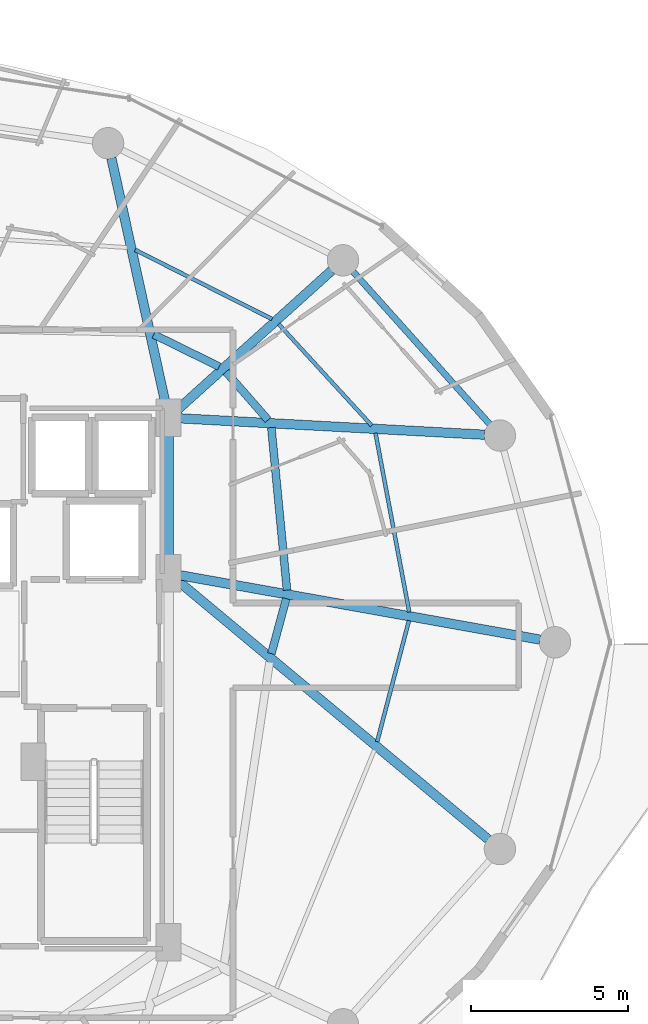
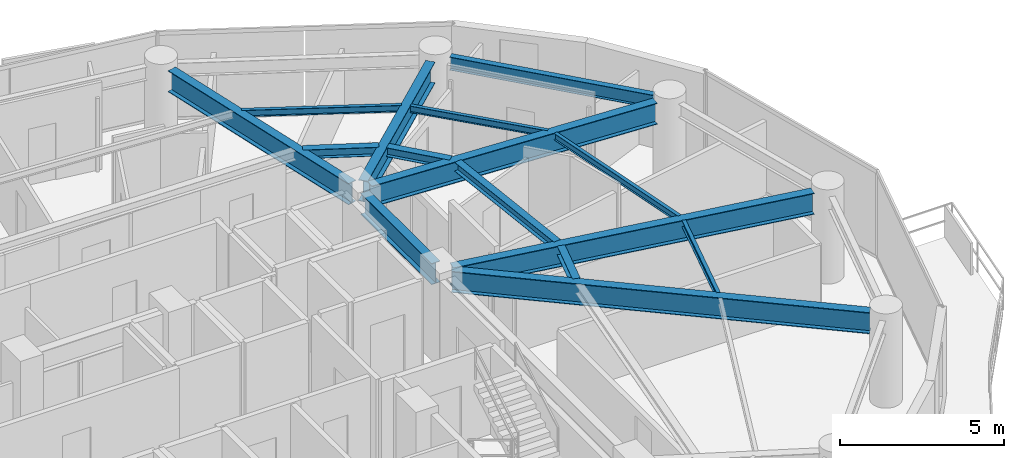
# One storey, part 14 of 30: 15 beams.
"""IFC4 building model written with IfcOpenShell, lengths in metres."""

from ifc_helpers import new_model, si_unit, direction, frame, origin, origin_2d, place, context, subcontext, project, spatial, i_section, extrude, material, material_profile, profile_set, type_object, element, save


model = new_model("IFC4")

# Units and contexts
model_context = context("Model", 3, precision=1e-05, world=origin(), true_north=direction((0.0, 1.0)))
body_context = subcontext(model_context, "Body", "Model", "MODEL_VIEW")
ifc_project = project(units=[si_unit("LENGTHUNIT", "METRE"), si_unit("AREAUNIT", "SQUARE_METRE"), si_unit("VOLUMEUNIT", "CUBIC_METRE"), si_unit("PLANEANGLEUNIT", "RADIAN"), si_unit("MASSUNIT", "GRAM", prefix="KILO")], contexts=[model_context])

# Site, building, storey
site_placement = place(None, origin())
site = spatial("IfcSite", under=ifc_project, at=site_placement, CompositionType="ELEMENT")
building_placement = place(site_placement, origin())
building = spatial("IfcBuilding", under=site, at=building_placement, Name="Vorneva Point Tower", CompositionType="ELEMENT")
storey_placement = place(building_placement, frame((0.0, 0.0, 153.60009765625)))
storey = spatial("IfcBuildingStorey", under=building, at=storey_placement, Name="L41", CompositionType="ELEMENT", Elevation=153.60009765625)

# Beams
ifc_material = material(Name="Steel S355", Category="steel")
ifc_material_profile_1 = material_profile(ifc_material, i_section(OverallWidth=0.300048828125, OverallDepth=0.7880859375, WebThickness=0.014404296875, FlangeThickness=0.02197265625, at=origin_2d()), Name="80Sh1")
ifc_profile_set_1 = profile_set([ifc_material_profile_1], Name="Steel S355")
beam_type_1 = type_object("IfcBeamType", Name="BM-GRD-80Sh1", PredefinedType="USERDEFINED", material=ifc_profile_set_1)
beam_1_placement = place(storey_placement, frame((60.569580078125, 26.0859375, 2.845947265625), z_axis=(-0.984378132756, 0.176067293249, 0.0), x_axis=(-0.176067293249, -0.984378132756, 0.0)))
element("IfcBeam", 1, at=beam_1_placement, inside=storey, type_object=beam_type_1, Name="L41 Radial Primary Girder 01", ObjectType="GIRDER", PredefinedType="USERDEFINED", context=body_context, shape_type="SweptSolid", body=[
    extrude(i_section(OverallWidth=0.300048828125, OverallDepth=0.7880859375, WebThickness=0.014404296875, FlangeThickness=0.02197265625, at=origin_2d()), origin(), (0.0, 0.0, 1.0), 11.667236328125),
])
beam_2_placement = place(storey_placement, frame((58.80810546875, 32.6083984375, 2.845947265625), z_axis=(-0.998554051908, 0.053756910424, 0.0), x_axis=(-0.053756910424, -0.998554051908, 0.0)))
element("IfcBeam", 2, at=beam_2_placement, inside=storey, type_object=beam_type_1, Name="L41 Radial Primary Girder 02", ObjectType="GIRDER", PredefinedType="USERDEFINED", context=body_context, shape_type="SweptSolid", body=[
    extrude(i_section(OverallWidth=0.300048828125, OverallDepth=0.7880859375, WebThickness=0.014404296875, FlangeThickness=0.02197265625, at=origin_2d()), origin(), (0.0, 0.0, 1.0), 9.732666015625),
])
beam_3_placement = place(storey_placement, frame((53.936767578125, 37.835205078125, 2.845947265625), z_axis=(-0.742084379637, -0.670306477292, 0.0), x_axis=(0.670306477292, -0.742084379637, 0.0)))
element("IfcBeam", 3, at=beam_3_placement, inside=storey, type_object=beam_type_1, Name="L41 Radial Primary Girder 03", ObjectType="GIRDER", PredefinedType="USERDEFINED", context=body_context, shape_type="SweptSolid", body=[
    extrude(i_section(OverallWidth=0.300048828125, OverallDepth=0.7880859375, WebThickness=0.014404296875, FlangeThickness=0.02197265625, at=origin_2d()), origin(), (0.0, 0.0, 1.0), 6.649658203125),
])
beam_4_placement = place(storey_placement, frame((46.926025390625, 41.414306640625, 2.845947265625), z_axis=(0.215520500859, -0.976499315775, 0.0), x_axis=(0.976499315775, 0.215520500859, 0.0)))
element("IfcBeam", 4, at=beam_4_placement, inside=storey, type_object=beam_type_1, Name="L41 Radial Primary Girder 04", ObjectType="GIRDER", PredefinedType="USERDEFINED", context=body_context, shape_type="SweptSolid", body=[
    extrude(i_section(OverallWidth=0.300048828125, OverallDepth=0.7880859375, WebThickness=0.014404296875, FlangeThickness=0.02197265625, at=origin_2d()), origin(), (0.0, 0.0, 1.0), 8.123291015625),
])
beam_5_placement = place(storey_placement, frame((58.92041015625, 19.72998046875, 2.845947265625), z_axis=(-0.76841987547, 0.639946009428, 0.0), x_axis=(-0.639946009428, -0.76841987547, 0.0)))
element("IfcBeam", 5, at=beam_5_placement, inside=storey, type_object=beam_type_1, Name="L41 Radial Primary Girder 16", ObjectType="GIRDER", PredefinedType="USERDEFINED", context=body_context, shape_type="SweptSolid", body=[
    extrude(i_section(OverallWidth=0.300048828125, OverallDepth=0.7880859375, WebThickness=0.014404296875, FlangeThickness=0.02197265625, at=origin_2d()), origin(), (0.0, 0.0, 1.0), 12.8955078125),
])
beam_6_placement = place(storey_placement, frame((48.75, 28.52001953125, 2.845947265625), z_axis=(0.0, 1.0, 0.0), x_axis=(-1.0, 0.0, 0.0)))
element("IfcBeam", 6, at=beam_6_placement, inside=storey, type_object=beam_type_1, Name="L41 Core Tie Girder CT4", ObjectType="GIRDER", PredefinedType="USERDEFINED", context=body_context, shape_type="SweptSolid", body=[
    extrude(i_section(OverallWidth=0.300048828125, OverallDepth=0.7880859375, WebThickness=0.014404296875, FlangeThickness=0.02197265625, at=origin_2d()), origin(), (0.0, 0.0, 1.0), 4.31005859375),
])
ifc_material_profile_2 = material_profile(ifc_material, i_section(OverallWidth=0.1240234375, OverallDepth=0.248046875, WebThickness=0.0048828125, FlangeThickness=0.008056640625, at=origin_2d()), Name="25B1")
ifc_profile_set_2 = profile_set([ifc_material_profile_2], Name="Steel S355")
beam_type_2 = type_object("IfcBeamType", Name="BM-JST-25B1", PredefinedType="JOIST", material=ifc_profile_set_2)
beam_7_placement = place(storey_placement, frame((56.409423828125, 26.9609375, 3.115966796875), z_axis=(-0.185233785123, 0.982694481947, 0.0), x_axis=(-0.982694481947, -0.185233785123, 0.0)))
element("IfcBeam", 7, at=beam_7_placement, inside=storey, type_object=beam_type_2, Name="L41 Secondary Floor Beam 1.01", PredefinedType="JOIST", context=body_context, shape_type="SweptSolid", body=[
    extrude(i_section(OverallWidth=0.1240234375, OverallDepth=0.248046875, WebThickness=0.0048828125, FlangeThickness=0.008056640625, at=origin_2d()), origin(), (0.0, 0.0, 1.0), 5.800537109375),
])
beam_8_placement = place(storey_placement, frame((55.216064453125, 32.8984375, 3.115966796875), z_axis=(-0.675865863336, 0.737024650047, 0.0), x_axis=(-0.737024650047, -0.675865863336, 0.0)))
element("IfcBeam", 8, at=beam_8_placement, inside=storey, type_object=beam_type_2, Name="L41 Secondary Floor Beam 1.02", PredefinedType="JOIST", context=body_context, shape_type="SweptSolid", body=[
    extrude(i_section(OverallWidth=0.1240234375, OverallDepth=0.248046875, WebThickness=0.0048828125, FlangeThickness=0.008056640625, at=origin_2d()), origin(), (0.0, 0.0, 1.0), 4.383056640625),
])
beam_9_placement = place(storey_placement, frame((52.037109375, 36.292724609375, 3.115966796875), z_axis=(-0.892388118376, 0.451268707292, 0.0), x_axis=(-0.451268707292, -0.892388118376, 0.0)))
element("IfcBeam", 9, at=beam_9_placement, inside=storey, type_object=beam_type_2, Name="L41 Secondary Floor Beam 1.03", PredefinedType="JOIST", context=body_context, shape_type="SweptSolid", body=[
    extrude(i_section(OverallWidth=0.1240234375, OverallDepth=0.248046875, WebThickness=0.0048828125, FlangeThickness=0.008056640625, at=origin_2d()), origin(), (0.0, 0.0, 1.0), 4.883056640625),
])
beam_10_placement = place(storey_placement, frame((55.38818359375, 22.83447265625, 3.115966796875), z_axis=(0.253697664148, 0.967283565045, 0.0), x_axis=(-0.967283565045, 0.253697664148, 0.0)))
element("IfcBeam", 10, at=beam_10_placement, inside=storey, type_object=beam_type_2, Name="L41 Secondary Floor Beam 1.16", PredefinedType="JOIST", context=body_context, shape_type="SweptSolid", body=[
    extrude(i_section(OverallWidth=0.1240234375, OverallDepth=0.248046875, WebThickness=0.0048828125, FlangeThickness=0.008056640625, at=origin_2d()), origin(), (0.0, 0.0, 1.0), 3.98779296875),
])
ifc_material_profile_3 = material_profile(ifc_material, i_section(OverallWidth=0.2490234375, OverallDepth=0.333984375, WebThickness=0.008056640625, FlangeThickness=0.010986328125, at=origin_2d()), Name="35Sh1")
ifc_profile_set_3 = profile_set([ifc_material_profile_3], Name="Steel S355")
beam_type_3 = type_object("IfcBeamType", Name="BM-SEC-35Sh1", PredefinedType="BEAM", material=ifc_profile_set_3)
beam_11_placement = place(storey_placement, frame((52.516845703125, 27.6611328125, 3.072998046875), z_axis=(-0.095868061976, 0.995394049959, 0.0), x_axis=(-0.995394049959, -0.095868061976, 0.0)))
element("IfcBeam", 11, at=beam_11_placement, inside=storey, type_object=beam_type_3, Name="L41 Secondary Floor Beam 2.01", PredefinedType="BEAM", context=body_context, shape_type="SweptSolid", body=[
    extrude(i_section(OverallWidth=0.2490234375, OverallDepth=0.333984375, WebThickness=0.008056640625, FlangeThickness=0.010986328125, at=origin_2d()), origin(), (0.0, 0.0, 1.0), 5.2001953125),
])
beam_12_placement = place(storey_placement, frame((51.914306640625, 33.07861328125, 3.072998046875), z_axis=(-0.658479142456, 0.752598976182, 0.0), x_axis=(-0.752598976182, -0.658479142456, 0.0)))
element("IfcBeam", 12, at=beam_12_placement, inside=storey, type_object=beam_type_3, Name="L41 Secondary Floor Beam 2.02", PredefinedType="BEAM", context=body_context, shape_type="SweptSolid", body=[
    extrude(i_section(OverallWidth=0.2490234375, OverallDepth=0.333984375, WebThickness=0.008056640625, FlangeThickness=0.010986328125, at=origin_2d()), origin(), (0.0, 0.0, 1.0), 2.0361328125),
])
beam_13_placement = place(storey_placement, frame((50.35888671875, 34.77587890625, 3.072998046875), z_axis=(-0.897310370884, 0.441400156664, 0.0), x_axis=(-0.441400156664, -0.897310370884, 0.0)))
element("IfcBeam", 13, at=beam_13_placement, inside=storey, type_object=beam_type_3, Name="L41 Secondary Floor Beam 2.03", PredefinedType="BEAM", context=body_context, shape_type="SweptSolid", body=[
    extrude(i_section(OverallWidth=0.2490234375, OverallDepth=0.333984375, WebThickness=0.008056640625, FlangeThickness=0.010986328125, at=origin_2d()), origin(), (0.0, 0.0, 1.0), 2.322021484375),
])
beam_14_placement = place(storey_placement, frame((52.02001953125, 25.639892578125, 3.072998046875), z_axis=(0.261397187655, 0.965231324754, 0.0), x_axis=(-0.965231324754, 0.261397187655, 0.0)))
element("IfcBeam", 14, at=beam_14_placement, inside=storey, type_object=beam_type_3, Name="L41 Secondary Floor Beam 2.16", PredefinedType="BEAM", context=body_context, shape_type="SweptSolid", body=[
    extrude(i_section(OverallWidth=0.2490234375, OverallDepth=0.333984375, WebThickness=0.008056640625, FlangeThickness=0.010986328125, at=origin_2d()), origin(), (0.0, 0.0, 1.0), 1.813720703125),
])
ifc_material_profile_4 = material_profile(ifc_material, i_section(OverallWidth=0.199951171875, OverallDepth=0.491943359375, WebThickness=0.0087890625, FlangeThickness=0.011962890625, at=origin_2d()), Name="50B1")
ifc_profile_set_4 = profile_set([ifc_material_profile_4], Name="Steel S355")
beam_type_4 = type_object("IfcBeamType", Name="BM-SPN-50B1", PredefinedType="SPANDREL", material=ifc_profile_set_4)
beam_15_placement = place(storey_placement, frame((58.971923828125, 32.943603515625, 2.993896484375), z_axis=(-0.667111118975, 0.74495822362, 0.0), x_axis=(-0.74495822362, -0.667111118975, 0.0)))
element("IfcBeam", 15, at=beam_15_placement, inside=storey, type_object=beam_type_4, Name="L41 Perimeter Spandrel Ring Beam 02", PredefinedType="SPANDREL", context=body_context, shape_type="SweptSolid", body=[
    extrude(i_section(OverallWidth=0.199951171875, OverallDepth=0.491943359375, WebThickness=0.0087890625, FlangeThickness=0.011962890625, at=origin_2d()), origin(), (0.0, 0.0, 1.0), 6.52001953125),
])

save(model, "model.ifc")
